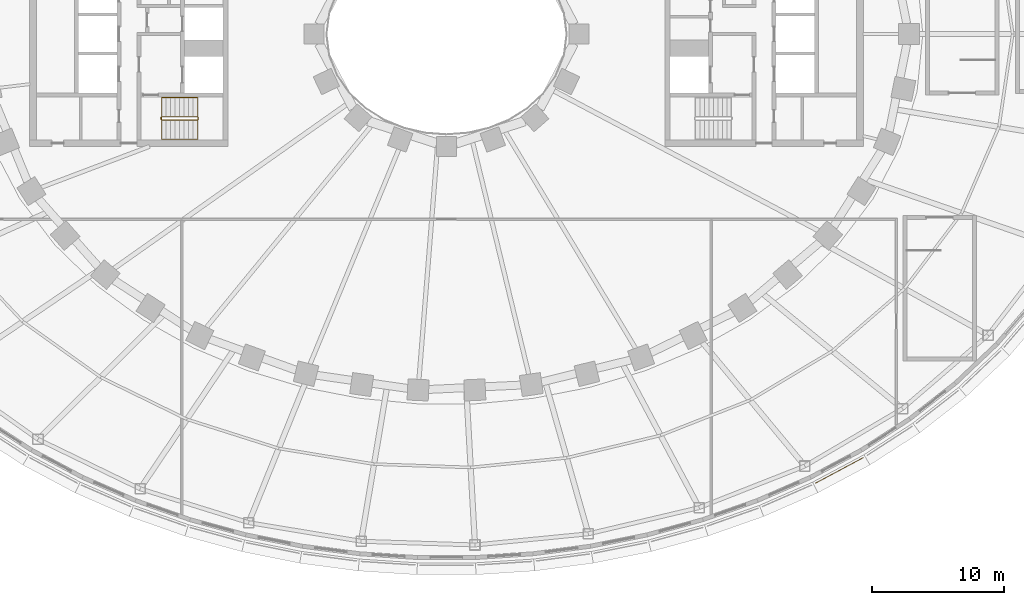
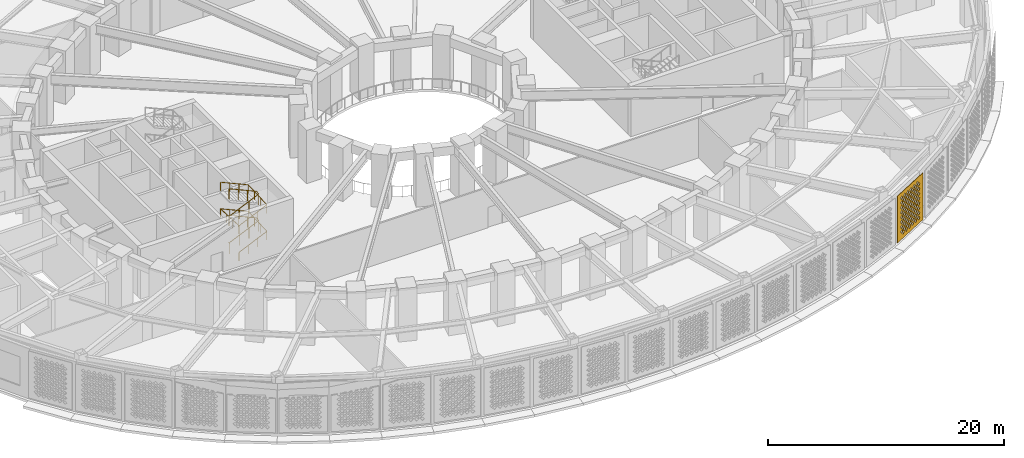
# One storey, part 54 of 63: 2 railings, 1 covering.
"""IFC4 building model written with IfcOpenShell, lengths in metres."""

from ifc_helpers import new_model, si_unit, direction, frame, origin, origin_2d, place, context, subcontext, project, spatial, polyline, rectangle, outline, extrude, material, layer, layer_set, type_object, element, save


model = new_model("IFC4")

# Units and contexts
model_context = context("Model", 3, precision=1e-05, world=origin(), true_north=direction((0.0, 1.0)))
body_context = subcontext(model_context, "Body", "Model", "MODEL_VIEW")
ifc_project = project(units=[si_unit("LENGTHUNIT", "METRE"), si_unit("AREAUNIT", "SQUARE_METRE"), si_unit("VOLUMEUNIT", "CUBIC_METRE"), si_unit("PLANEANGLEUNIT", "RADIAN"), si_unit("MASSUNIT", "GRAM", prefix="KILO")], contexts=[model_context])

# Site, building, storey
site_placement = place(None, origin())
site = spatial("IfcSite", under=ifc_project, at=site_placement, CompositionType="ELEMENT")
building_placement = place(site_placement, origin())
building = spatial("IfcBuilding", under=site, at=building_placement, Name="Noorbagh Ring Tower", CompositionType="ELEMENT")
storey_placement = place(building_placement, frame((0.0, 0.0, 25.0)))
storey = spatial("IfcBuildingStorey", under=building, at=storey_placement, Name="L04", CompositionType="ELEMENT", Elevation=25.0)

# Railings
ifc_material_1 = material(Name="Stainless steel", Category="steel")
railing_type_1 = type_object("IfcRailingType", Name="CORE-STAIR-GUARD", PredefinedType="GUARDRAIL", material=ifc_material_1)
railing_1_placement = place(storey_placement, frame((-21.580078125, -6.449951171875, 0.0)))
element("IfcRailing", 1, at=railing_1_placement, inside=storey, type_object=railing_type_1, Name="L04 ST2 stair guard", PredefinedType="GUARDRAIL", context=body_context, shape_type="SweptSolid", body=[
    extrude(rectangle(XDim=0.048095703125, YDim=0.048095703125, at=origin_2d()), frame((0.0, 0.0, 1.076171875), z_axis=(0.0, 1.0, 0.0), x_axis=(-1.0, 0.0, 0.0)), (0.0, 0.0, 1.0), 0.14990234375),
    extrude(rectangle(XDim=0.048095703125, YDim=0.048095703125, at=origin_2d()), frame((0.0, 0.14990234375, 1.076171875), z_axis=(0.195046945594, -0.779236333862, 0.595606770449), x_axis=(0.970072785993, 0.242814311512, 0.0)), (0.0, 0.0, 1.0), 0.256591796875),
    extrude(rectangle(XDim=0.048095703125, YDim=0.048095703125, at=origin_2d()), frame((0.050048828125, -0.050048828125, 1.22900390625), z_axis=(0.912149621895, 0.0, 0.409857374312), x_axis=(0.0, 1.0, 0.0)), (0.0, 0.0, 1.0), 2.98193359375),
    extrude(rectangle(XDim=0.048095703125, YDim=0.048095703125, at=origin_2d()), frame((2.77001953125, -0.050048828125, 2.451171875), z_axis=(0.707106781187, 0.707106781187, 0.0), x_axis=(-0.707106781187, 0.707106781187, 0.0)), (0.0, 0.0, 1.0), 0.07080078125),
    extrude(rectangle(XDim=0.048095703125, YDim=0.048095703125, at=origin_2d()), frame((2.820068359375, 0.0, 2.451171875), z_axis=(0.0, 1.0, 0.0), x_axis=(-1.0, 0.0, 0.0)), (0.0, 0.0, 1.0), 0.14990234375),
    extrude(rectangle(XDim=0.048095703125, YDim=0.048095703125, at=origin_2d()), frame((2.820068359375, 0.14990234375, 2.451171875), z_axis=(-0.297155754911, 0.297155754911, 0.90741220768), x_axis=(-0.707106781187, -0.707106781187, 0.0)), (0.0, 0.0, 1.0), 0.16845703125),
    extrude(rectangle(XDim=0.048095703125, YDim=0.048095703125, at=origin_2d()), frame((2.77001953125, 0.199951171875, 2.60400390625), z_axis=(-0.912149621895, 0.0, 0.409857374312), x_axis=(0.0, -1.0, 0.0)), (0.0, 0.0, 1.0), 2.98193359375),
    extrude(rectangle(XDim=0.048095703125, YDim=0.048095703125, at=origin_2d()), frame((0.050048828125, 0.199951171875, 3.826171875), z_axis=(-0.242814311512, -0.970072785993, 0.0), x_axis=(0.970072785993, -0.242814311512, 0.0)), (0.0, 0.0, 1.0), 0.2060546875),
    extrude(rectangle(XDim=0.048095703125, YDim=0.048095703125, at=origin_2d()), frame((0.0, 0.0, 3.826171875), z_axis=(0.0, 1.0, 0.0), x_axis=(-1.0, 0.0, 0.0)), (0.0, 0.0, 1.0), 0.14990234375),
    extrude(rectangle(XDim=0.048095703125, YDim=0.048095703125, at=origin_2d()), frame((0.0, 0.14990234375, 3.826171875), z_axis=(0.195046945594, -0.779236333862, 0.595606770449), x_axis=(0.970072785993, 0.242814311512, 0.0)), (0.0, 0.0, 1.0), 0.256591796875),
    extrude(rectangle(XDim=0.048095703125, YDim=0.048095703125, at=origin_2d()), frame((0.050048828125, -0.050048828125, 3.97900390625), z_axis=(0.912149621895, 0.0, 0.409857374312), x_axis=(0.0, 1.0, 0.0)), (0.0, 0.0, 1.0), 2.98193359375),
    extrude(rectangle(XDim=0.048095703125, YDim=0.048095703125, at=origin_2d()), frame((2.77001953125, -0.050048828125, 5.201171875), z_axis=(0.707106781187, 0.707106781187, 0.0), x_axis=(-0.707106781187, 0.707106781187, 0.0)), (0.0, 0.0, 1.0), 0.07080078125),
    extrude(rectangle(XDim=0.048095703125, YDim=0.048095703125, at=origin_2d()), frame((2.820068359375, 0.0, 5.201171875), z_axis=(0.0, 1.0, 0.0), x_axis=(-1.0, 0.0, 0.0)), (0.0, 0.0, 1.0), 0.14990234375),
    extrude(rectangle(XDim=0.048095703125, YDim=0.048095703125, at=origin_2d()), frame((2.820068359375, 0.14990234375, 5.201171875), z_axis=(-0.297155754911, 0.297155754911, 0.90741220768), x_axis=(-0.707106781187, -0.707106781187, 0.0)), (0.0, 0.0, 1.0), 0.16845703125),
    extrude(rectangle(XDim=0.048095703125, YDim=0.048095703125, at=origin_2d()), frame((2.77001953125, 0.199951171875, 5.35400390625), z_axis=(-0.912149621895, 0.0, 0.409857374312), x_axis=(0.0, -1.0, 0.0)), (0.0, 0.0, 1.0), 2.98193359375),
    extrude(rectangle(XDim=0.0419921875, YDim=0.0419921875, at=origin_2d()), origin(), (0.0, 0.0, 1.0), 1.052001953125),
    extrude(rectangle(XDim=0.0419921875, YDim=0.0419921875, at=origin_2d()), frame((0.956787109375, -0.050048828125, 0.560302734375)), (0.0, 0.0, 1.0), 1.052001953125),
    extrude(rectangle(XDim=0.0419921875, YDim=0.0419921875, at=origin_2d()), frame((1.86328125, -0.050048828125, 0.967529296875)), (0.0, 0.0, 1.0), 1.052001953125),
    extrude(rectangle(XDim=0.0419921875, YDim=0.0419921875, at=origin_2d()), frame((2.77001953125, -0.050048828125, 1.375)), (0.0, 0.0, 1.0), 1.052001953125),
    extrude(rectangle(XDim=0.0419921875, YDim=0.0419921875, at=origin_2d()), frame((1.86328125, 0.199951171875, 1.935302734375)), (0.0, 0.0, 1.0), 1.052001953125),
    extrude(rectangle(XDim=0.0419921875, YDim=0.0419921875, at=origin_2d()), frame((0.956787109375, 0.199951171875, 2.342529296875)), (0.0, 0.0, 1.0), 1.052001953125),
    extrude(rectangle(XDim=0.0419921875, YDim=0.0419921875, at=origin_2d()), frame((0.050048828125, 0.199951171875, 2.75)), (0.0, 0.0, 1.0), 1.052001953125),
    extrude(rectangle(XDim=0.0419921875, YDim=0.0419921875, at=origin_2d()), frame((0.956787109375, -0.050048828125, 3.310302734375)), (0.0, 0.0, 1.0), 1.052001953125),
    extrude(rectangle(XDim=0.0419921875, YDim=0.0419921875, at=origin_2d()), frame((1.86328125, -0.050048828125, 3.717529296875)), (0.0, 0.0, 1.0), 1.052001953125),
    extrude(rectangle(XDim=0.0419921875, YDim=0.0419921875, at=origin_2d()), frame((2.77001953125, -0.050048828125, 4.125)), (0.0, 0.0, 1.0), 1.052001953125),
    extrude(rectangle(XDim=0.0419921875, YDim=0.0419921875, at=origin_2d()), frame((1.86328125, 0.199951171875, 4.685302734375)), (0.0, 0.0, 1.0), 1.052001953125),
    extrude(rectangle(XDim=0.0419921875, YDim=0.0419921875, at=origin_2d()), frame((0.956787109375, 0.199951171875, 5.092529296875)), (0.0, 0.0, 1.0), 1.052001953125),
    extrude(rectangle(XDim=0.0419921875, YDim=0.0419921875, at=origin_2d()), frame((0.050048828125, 0.199951171875, 5.5)), (0.0, 0.0, 1.0), 1.052001953125),
])
ifc_material_2 = material(Name="Stainless steel", Category="steel")
railing_type_2 = type_object("IfcRailingType", Name="CORE-STAIR-HANDRAIL", PredefinedType="HANDRAIL", material=ifc_material_2)
railing_2_placement = place(storey_placement, frame((-21.530029296875, -7.949951171875, 0.15283203125)))
element("IfcRailing", 2, at=railing_2_placement, inside=storey, type_object=railing_type_2, Name="L04 ST2 stair handrail", PredefinedType="HANDRAIL", context=body_context, shape_type="SweptSolid", body=[
    extrude(rectangle(XDim=0.048095703125, YDim=0.048095703125, at=origin_2d()), frame((0.0, 0.0, 0.8759765625), z_axis=(0.912149621895, 0.0, 0.409857374312), x_axis=(0.0, 1.0, 0.0)), (0.0, 0.0, 1.0), 2.98193359375),
    extrude(rectangle(XDim=0.048095703125, YDim=0.048095703125, at=origin_2d()), frame((2.719970703125, 0.0, 2.09814453125), z_axis=(0.0, 0.998824997948, 0.048462598722), x_axis=(-1.0, 0.0, 0.0)), (0.0, 0.0, 1.0), 3.153564453125),
    extrude(rectangle(XDim=0.048095703125, YDim=0.048095703125, at=origin_2d()), frame((2.719970703125, 3.14990234375, 2.2509765625), z_axis=(-0.912149621895, 0.0, 0.409857374312), x_axis=(0.0, -1.0, 0.0)), (0.0, 0.0, 1.0), 2.98193359375),
    extrude(rectangle(XDim=0.048095703125, YDim=0.048095703125, at=origin_2d()), frame((0.0, 3.14990234375, 3.47314453125), z_axis=(0.0, -0.998824997948, 0.048462598722), x_axis=(1.0, 0.0, 0.0)), (0.0, 0.0, 1.0), 3.153564453125),
    extrude(rectangle(XDim=0.048095703125, YDim=0.048095703125, at=origin_2d()), frame((0.0, 0.0, 3.6259765625), z_axis=(0.912149621895, 0.0, 0.409857374312), x_axis=(0.0, 1.0, 0.0)), (0.0, 0.0, 1.0), 2.98193359375),
    extrude(rectangle(XDim=0.048095703125, YDim=0.048095703125, at=origin_2d()), frame((2.719970703125, 0.0, 4.84814453125), z_axis=(0.0, 0.998824997948, 0.048462598722), x_axis=(-1.0, 0.0, 0.0)), (0.0, 0.0, 1.0), 3.153564453125),
    extrude(rectangle(XDim=0.048095703125, YDim=0.048095703125, at=origin_2d()), frame((2.719970703125, 3.14990234375, 5.0009765625), z_axis=(-0.912149621895, 0.0, 0.409857374312), x_axis=(0.0, -1.0, 0.0)), (0.0, 0.0, 1.0), 2.98193359375),
    extrude(rectangle(XDim=0.0419921875, YDim=0.0419921875, at=origin_2d()), origin(), (0.0, 0.0, 1.0), 0.851806640625),
    extrude(rectangle(XDim=0.0419921875, YDim=0.0419921875, at=origin_2d()), frame((0.90673828125, 0.0, 0.407470703125)), (0.0, 0.0, 1.0), 0.851806640625),
    extrude(rectangle(XDim=0.0419921875, YDim=0.0419921875, at=origin_2d()), frame((1.813232421875, 0.0, 0.814697265625)), (0.0, 0.0, 1.0), 0.851806640625),
    extrude(rectangle(XDim=0.0419921875, YDim=0.0419921875, at=origin_2d()), frame((2.719970703125, 0.0, 1.22216796875)), (0.0, 0.0, 1.0), 0.851806640625),
    extrude(rectangle(XDim=0.0419921875, YDim=0.0419921875, at=origin_2d()), frame((2.719970703125, 1.050048828125, 1.273193359375)), (0.0, 0.0, 1.0), 0.851806640625),
    extrude(rectangle(XDim=0.0419921875, YDim=0.0419921875, at=origin_2d()), frame((2.719970703125, 2.099853515625, 1.323974609375)), (0.0, 0.0, 1.0), 0.851806640625),
    extrude(rectangle(XDim=0.0419921875, YDim=0.0419921875, at=origin_2d()), frame((2.719970703125, 3.14990234375, 1.375)), (0.0, 0.0, 1.0), 0.851806640625),
    extrude(rectangle(XDim=0.0419921875, YDim=0.0419921875, at=origin_2d()), frame((1.813232421875, 3.14990234375, 1.782470703125)), (0.0, 0.0, 1.0), 0.851806640625),
    extrude(rectangle(XDim=0.0419921875, YDim=0.0419921875, at=origin_2d()), frame((0.90673828125, 3.14990234375, 2.189697265625)), (0.0, 0.0, 1.0), 0.851806640625),
    extrude(rectangle(XDim=0.0419921875, YDim=0.0419921875, at=origin_2d()), frame((0.0, 3.14990234375, 2.59716796875)), (0.0, 0.0, 1.0), 0.851806640625),
    extrude(rectangle(XDim=0.0419921875, YDim=0.0419921875, at=origin_2d()), frame((0.0, 2.099853515625, 2.648193359375)), (0.0, 0.0, 1.0), 0.851806640625),
    extrude(rectangle(XDim=0.0419921875, YDim=0.0419921875, at=origin_2d()), frame((0.0, 1.050048828125, 2.698974609375)), (0.0, 0.0, 1.0), 0.851806640625),
    extrude(rectangle(XDim=0.0419921875, YDim=0.0419921875, at=origin_2d()), frame((0.0, 0.0, 2.75)), (0.0, 0.0, 1.0), 0.851806640625),
    extrude(rectangle(XDim=0.0419921875, YDim=0.0419921875, at=origin_2d()), frame((0.90673828125, 0.0, 3.157470703125)), (0.0, 0.0, 1.0), 0.851806640625),
    extrude(rectangle(XDim=0.0419921875, YDim=0.0419921875, at=origin_2d()), frame((1.813232421875, 0.0, 3.564697265625)), (0.0, 0.0, 1.0), 0.851806640625),
    extrude(rectangle(XDim=0.0419921875, YDim=0.0419921875, at=origin_2d()), frame((2.719970703125, 0.0, 3.97216796875)), (0.0, 0.0, 1.0), 0.851806640625),
    extrude(rectangle(XDim=0.0419921875, YDim=0.0419921875, at=origin_2d()), frame((2.719970703125, 1.050048828125, 4.023193359375)), (0.0, 0.0, 1.0), 0.851806640625),
    extrude(rectangle(XDim=0.0419921875, YDim=0.0419921875, at=origin_2d()), frame((2.719970703125, 2.099853515625, 4.073974609375)), (0.0, 0.0, 1.0), 0.851806640625),
    extrude(rectangle(XDim=0.0419921875, YDim=0.0419921875, at=origin_2d()), frame((2.719970703125, 3.14990234375, 4.125)), (0.0, 0.0, 1.0), 0.851806640625),
    extrude(rectangle(XDim=0.0419921875, YDim=0.0419921875, at=origin_2d()), frame((1.813232421875, 3.14990234375, 4.532470703125)), (0.0, 0.0, 1.0), 0.851806640625),
    extrude(rectangle(XDim=0.0419921875, YDim=0.0419921875, at=origin_2d()), frame((0.90673828125, 3.14990234375, 4.939697265625)), (0.0, 0.0, 1.0), 0.851806640625),
    extrude(rectangle(XDim=0.0419921875, YDim=0.0419921875, at=origin_2d()), frame((0.0, 3.14990234375, 5.34716796875)), (0.0, 0.0, 1.0), 0.851806640625),
])

# Covering
ifc_material_3 = material(Name="Red sandstone jali", Category="masonry")
ifc_layer = layer(ifc_material_3, 0.0400390625)
ifc_layer_set = layer_set([ifc_layer], Name="Red sandstone jali")
covering_type = type_object("IfcCoveringType", Name="STY-JALI", PredefinedType="USERDEFINED", material=ifc_layer_set)
covering_placement = place(storey_placement, frame((27.897705078125, -33.9609375, 0.449951171875), z_axis=(0.470869695201, -0.882202771556, 0.0), x_axis=(0.882202771556, 0.470869695201, 0.0)))
element("IfcCovering", 3, at=covering_placement, inside=storey, type_object=covering_type, Name="Jali screen", ObjectType="SCREEN", PredefinedType="USERDEFINED", context=body_context, shape_type="SweptSolid", body=[
    extrude(outline(polyline([(0.0, 0.0), (4.0966796875, 0.0), (4.0966796875, 4.85009765625), (0.0, 4.85009765625), (0.0, 0.0)]), holes=[polyline([(0.743408203125, 0.550048828125), (0.92333984375, 0.3701171875), (1.103271484375, 0.550048828125), (0.92333984375, 0.72998046875), (0.743408203125, 0.550048828125)]), polyline([(1.243408203125, 0.550048828125), (1.42333984375, 0.3701171875), (1.603271484375, 0.550048828125), (1.42333984375, 0.72998046875), (1.243408203125, 0.550048828125)]), polyline([(1.743408203125, 0.550048828125), (1.92333984375, 0.3701171875), (2.103271484375, 0.550048828125), (1.92333984375, 0.72998046875), (1.743408203125, 0.550048828125)]), polyline([(2.243408203125, 0.550048828125), (2.42333984375, 0.3701171875), (2.603271484375, 0.550048828125), (2.42333984375, 0.72998046875), (2.243408203125, 0.550048828125)]), polyline([(2.743408203125, 0.550048828125), (2.92333984375, 0.3701171875), (3.103271484375, 0.550048828125), (2.92333984375, 0.72998046875), (2.743408203125, 0.550048828125)]), polyline([(3.243408203125, 0.550048828125), (3.42333984375, 0.3701171875), (3.603271484375, 0.550048828125), (3.42333984375, 0.72998046875), (3.243408203125, 0.550048828125)]), polyline([(0.493408203125, 0.800048828125), (0.67333984375, 0.6201171875), (0.853271484375, 0.800048828125), (0.67333984375, 0.97998046875), (0.493408203125, 0.800048828125)]), polyline([(0.993408203125, 0.800048828125), (1.17333984375, 0.6201171875), (1.353271484375, 0.800048828125), (1.17333984375, 0.97998046875), (0.993408203125, 0.800048828125)]), polyline([(1.493408203125, 0.800048828125), (1.67333984375, 0.6201171875), (1.853271484375, 0.800048828125), (1.67333984375, 0.97998046875), (1.493408203125, 0.800048828125)]), polyline([(1.993408203125, 0.800048828125), (2.17333984375, 0.6201171875), (2.353271484375, 0.800048828125), (2.17333984375, 0.97998046875), (1.993408203125, 0.800048828125)]), polyline([(2.493408203125, 0.800048828125), (2.67333984375, 0.6201171875), (2.853271484375, 0.800048828125), (2.67333984375, 0.97998046875), (2.493408203125, 0.800048828125)]), polyline([(2.993408203125, 0.800048828125), (3.17333984375, 0.6201171875), (3.353271484375, 0.800048828125), (3.17333984375, 0.97998046875), (2.993408203125, 0.800048828125)]), polyline([(0.743408203125, 1.050048828125), (0.92333984375, 0.8701171875), (1.103271484375, 1.050048828125), (0.92333984375, 1.22998046875), (0.743408203125, 1.050048828125)]), polyline([(1.243408203125, 1.050048828125), (1.42333984375, 0.8701171875), (1.603271484375, 1.050048828125), (1.42333984375, 1.22998046875), (1.243408203125, 1.050048828125)]), polyline([(1.743408203125, 1.050048828125), (1.92333984375, 0.8701171875), (2.103271484375, 1.050048828125), (1.92333984375, 1.22998046875), (1.743408203125, 1.050048828125)]), polyline([(2.243408203125, 1.050048828125), (2.42333984375, 0.8701171875), (2.603271484375, 1.050048828125), (2.42333984375, 1.22998046875), (2.243408203125, 1.050048828125)]), polyline([(2.743408203125, 1.050048828125), (2.92333984375, 0.8701171875), (3.103271484375, 1.050048828125), (2.92333984375, 1.22998046875), (2.743408203125, 1.050048828125)]), polyline([(3.243408203125, 1.050048828125), (3.42333984375, 0.8701171875), (3.603271484375, 1.050048828125), (3.42333984375, 1.22998046875), (3.243408203125, 1.050048828125)]), polyline([(0.493408203125, 1.300048828125), (0.67333984375, 1.1201171875), (0.853271484375, 1.300048828125), (0.67333984375, 1.47998046875), (0.493408203125, 1.300048828125)]), polyline([(0.993408203125, 1.300048828125), (1.17333984375, 1.1201171875), (1.353271484375, 1.300048828125), (1.17333984375, 1.47998046875), (0.993408203125, 1.300048828125)]), polyline([(1.493408203125, 1.300048828125), (1.67333984375, 1.1201171875), (1.853271484375, 1.300048828125), (1.67333984375, 1.47998046875), (1.493408203125, 1.300048828125)]), polyline([(1.993408203125, 1.300048828125), (2.17333984375, 1.1201171875), (2.353271484375, 1.300048828125), (2.17333984375, 1.47998046875), (1.993408203125, 1.300048828125)]), polyline([(2.493408203125, 1.300048828125), (2.67333984375, 1.1201171875), (2.853271484375, 1.300048828125), (2.67333984375, 1.47998046875), (2.493408203125, 1.300048828125)]), polyline([(2.993408203125, 1.300048828125), (3.17333984375, 1.1201171875), (3.353271484375, 1.300048828125), (3.17333984375, 1.47998046875), (2.993408203125, 1.300048828125)]), polyline([(0.743408203125, 1.550048828125), (0.92333984375, 1.3701171875), (1.103271484375, 1.550048828125), (0.92333984375, 1.72998046875), (0.743408203125, 1.550048828125)]), polyline([(1.243408203125, 1.550048828125), (1.42333984375, 1.3701171875), (1.603271484375, 1.550048828125), (1.42333984375, 1.72998046875), (1.243408203125, 1.550048828125)]), polyline([(1.743408203125, 1.550048828125), (1.92333984375, 1.3701171875), (2.103271484375, 1.550048828125), (1.92333984375, 1.72998046875), (1.743408203125, 1.550048828125)]), polyline([(2.243408203125, 1.550048828125), (2.42333984375, 1.3701171875), (2.603271484375, 1.550048828125), (2.42333984375, 1.72998046875), (2.243408203125, 1.550048828125)]), polyline([(2.743408203125, 1.550048828125), (2.92333984375, 1.3701171875), (3.103271484375, 1.550048828125), (2.92333984375, 1.72998046875), (2.743408203125, 1.550048828125)]), polyline([(3.243408203125, 1.550048828125), (3.42333984375, 1.3701171875), (3.603271484375, 1.550048828125), (3.42333984375, 1.72998046875), (3.243408203125, 1.550048828125)]), polyline([(0.493408203125, 1.800048828125), (0.67333984375, 1.6201171875), (0.853271484375, 1.800048828125), (0.67333984375, 1.97998046875), (0.493408203125, 1.800048828125)]), polyline([(0.993408203125, 1.800048828125), (1.17333984375, 1.6201171875), (1.353271484375, 1.800048828125), (1.17333984375, 1.97998046875), (0.993408203125, 1.800048828125)]), polyline([(1.493408203125, 1.800048828125), (1.67333984375, 1.6201171875), (1.853271484375, 1.800048828125), (1.67333984375, 1.97998046875), (1.493408203125, 1.800048828125)]), polyline([(1.993408203125, 1.800048828125), (2.17333984375, 1.6201171875), (2.353271484375, 1.800048828125), (2.17333984375, 1.97998046875), (1.993408203125, 1.800048828125)]), polyline([(2.493408203125, 1.800048828125), (2.67333984375, 1.6201171875), (2.853271484375, 1.800048828125), (2.67333984375, 1.97998046875), (2.493408203125, 1.800048828125)]), polyline([(2.993408203125, 1.800048828125), (3.17333984375, 1.6201171875), (3.353271484375, 1.800048828125), (3.17333984375, 1.97998046875), (2.993408203125, 1.800048828125)]), polyline([(0.743408203125, 2.050048828125), (0.92333984375, 1.8701171875), (1.103271484375, 2.050048828125), (0.92333984375, 2.22998046875), (0.743408203125, 2.050048828125)]), polyline([(1.243408203125, 2.050048828125), (1.42333984375, 1.8701171875), (1.603271484375, 2.050048828125), (1.42333984375, 2.22998046875), (1.243408203125, 2.050048828125)]), polyline([(1.743408203125, 2.050048828125), (1.92333984375, 1.8701171875), (2.103271484375, 2.050048828125), (1.92333984375, 2.22998046875), (1.743408203125, 2.050048828125)]), polyline([(2.243408203125, 2.050048828125), (2.42333984375, 1.8701171875), (2.603271484375, 2.050048828125), (2.42333984375, 2.22998046875), (2.243408203125, 2.050048828125)]), polyline([(2.743408203125, 2.050048828125), (2.92333984375, 1.8701171875), (3.103271484375, 2.050048828125), (2.92333984375, 2.22998046875), (2.743408203125, 2.050048828125)]), polyline([(3.243408203125, 2.050048828125), (3.42333984375, 1.8701171875), (3.603271484375, 2.050048828125), (3.42333984375, 2.22998046875), (3.243408203125, 2.050048828125)]), polyline([(0.493408203125, 2.300048828125), (0.67333984375, 2.1201171875), (0.853271484375, 2.300048828125), (0.67333984375, 2.47998046875), (0.493408203125, 2.300048828125)]), polyline([(0.993408203125, 2.300048828125), (1.17333984375, 2.1201171875), (1.353271484375, 2.300048828125), (1.17333984375, 2.47998046875), (0.993408203125, 2.300048828125)]), polyline([(1.493408203125, 2.300048828125), (1.67333984375, 2.1201171875), (1.853271484375, 2.300048828125), (1.67333984375, 2.47998046875), (1.493408203125, 2.300048828125)]), polyline([(1.993408203125, 2.300048828125), (2.17333984375, 2.1201171875), (2.353271484375, 2.300048828125), (2.17333984375, 2.47998046875), (1.993408203125, 2.300048828125)]), polyline([(2.493408203125, 2.300048828125), (2.67333984375, 2.1201171875), (2.853271484375, 2.300048828125), (2.67333984375, 2.47998046875), (2.493408203125, 2.300048828125)]), polyline([(2.993408203125, 2.300048828125), (3.17333984375, 2.1201171875), (3.353271484375, 2.300048828125), (3.17333984375, 2.47998046875), (2.993408203125, 2.300048828125)]), polyline([(0.743408203125, 2.550048828125), (0.92333984375, 2.3701171875), (1.103271484375, 2.550048828125), (0.92333984375, 2.72998046875), (0.743408203125, 2.550048828125)]), polyline([(1.243408203125, 2.550048828125), (1.42333984375, 2.3701171875), (1.603271484375, 2.550048828125), (1.42333984375, 2.72998046875), (1.243408203125, 2.550048828125)]), polyline([(1.743408203125, 2.550048828125), (1.92333984375, 2.3701171875), (2.103271484375, 2.550048828125), (1.92333984375, 2.72998046875), (1.743408203125, 2.550048828125)]), polyline([(2.243408203125, 2.550048828125), (2.42333984375, 2.3701171875), (2.603271484375, 2.550048828125), (2.42333984375, 2.72998046875), (2.243408203125, 2.550048828125)]), polyline([(2.743408203125, 2.550048828125), (2.92333984375, 2.3701171875), (3.103271484375, 2.550048828125), (2.92333984375, 2.72998046875), (2.743408203125, 2.550048828125)]), polyline([(3.243408203125, 2.550048828125), (3.42333984375, 2.3701171875), (3.603271484375, 2.550048828125), (3.42333984375, 2.72998046875), (3.243408203125, 2.550048828125)]), polyline([(0.493408203125, 2.800048828125), (0.67333984375, 2.6201171875), (0.853271484375, 2.800048828125), (0.67333984375, 2.97998046875), (0.493408203125, 2.800048828125)]), polyline([(0.993408203125, 2.800048828125), (1.17333984375, 2.6201171875), (1.353271484375, 2.800048828125), (1.17333984375, 2.97998046875), (0.993408203125, 2.800048828125)]), polyline([(1.493408203125, 2.800048828125), (1.67333984375, 2.6201171875), (1.853271484375, 2.800048828125), (1.67333984375, 2.97998046875), (1.493408203125, 2.800048828125)]), polyline([(1.993408203125, 2.800048828125), (2.17333984375, 2.6201171875), (2.353271484375, 2.800048828125), (2.17333984375, 2.97998046875), (1.993408203125, 2.800048828125)]), polyline([(2.493408203125, 2.800048828125), (2.67333984375, 2.6201171875), (2.853271484375, 2.800048828125), (2.67333984375, 2.97998046875), (2.493408203125, 2.800048828125)]), polyline([(2.993408203125, 2.800048828125), (3.17333984375, 2.6201171875), (3.353271484375, 2.800048828125), (3.17333984375, 2.97998046875), (2.993408203125, 2.800048828125)]), polyline([(0.743408203125, 3.050048828125), (0.92333984375, 2.8701171875), (1.103271484375, 3.050048828125), (0.92333984375, 3.22998046875), (0.743408203125, 3.050048828125)]), polyline([(1.243408203125, 3.050048828125), (1.42333984375, 2.8701171875), (1.603271484375, 3.050048828125), (1.42333984375, 3.22998046875), (1.243408203125, 3.050048828125)]), polyline([(1.743408203125, 3.050048828125), (1.92333984375, 2.8701171875), (2.103271484375, 3.050048828125), (1.92333984375, 3.22998046875), (1.743408203125, 3.050048828125)]), polyline([(2.243408203125, 3.050048828125), (2.42333984375, 2.8701171875), (2.603271484375, 3.050048828125), (2.42333984375, 3.22998046875), (2.243408203125, 3.050048828125)]), polyline([(2.743408203125, 3.050048828125), (2.92333984375, 2.8701171875), (3.103271484375, 3.050048828125), (2.92333984375, 3.22998046875), (2.743408203125, 3.050048828125)]), polyline([(3.243408203125, 3.050048828125), (3.42333984375, 2.8701171875), (3.603271484375, 3.050048828125), (3.42333984375, 3.22998046875), (3.243408203125, 3.050048828125)]), polyline([(0.493408203125, 3.300048828125), (0.67333984375, 3.1201171875), (0.853271484375, 3.300048828125), (0.67333984375, 3.47998046875), (0.493408203125, 3.300048828125)]), polyline([(0.993408203125, 3.300048828125), (1.17333984375, 3.1201171875), (1.353271484375, 3.300048828125), (1.17333984375, 3.47998046875), (0.993408203125, 3.300048828125)]), polyline([(1.493408203125, 3.300048828125), (1.67333984375, 3.1201171875), (1.853271484375, 3.300048828125), (1.67333984375, 3.47998046875), (1.493408203125, 3.300048828125)]), polyline([(1.993408203125, 3.300048828125), (2.17333984375, 3.1201171875), (2.353271484375, 3.300048828125), (2.17333984375, 3.47998046875), (1.993408203125, 3.300048828125)]), polyline([(2.493408203125, 3.300048828125), (2.67333984375, 3.1201171875), (2.853271484375, 3.300048828125), (2.67333984375, 3.47998046875), (2.493408203125, 3.300048828125)]), polyline([(2.993408203125, 3.300048828125), (3.17333984375, 3.1201171875), (3.353271484375, 3.300048828125), (3.17333984375, 3.47998046875), (2.993408203125, 3.300048828125)]), polyline([(0.743408203125, 3.550048828125), (0.92333984375, 3.3701171875), (1.103271484375, 3.550048828125), (0.92333984375, 3.72998046875), (0.743408203125, 3.550048828125)]), polyline([(1.243408203125, 3.550048828125), (1.42333984375, 3.3701171875), (1.603271484375, 3.550048828125), (1.42333984375, 3.72998046875), (1.243408203125, 3.550048828125)]), polyline([(1.743408203125, 3.550048828125), (1.92333984375, 3.3701171875), (2.103271484375, 3.550048828125), (1.92333984375, 3.72998046875), (1.743408203125, 3.550048828125)]), polyline([(2.243408203125, 3.550048828125), (2.42333984375, 3.3701171875), (2.603271484375, 3.550048828125), (2.42333984375, 3.72998046875), (2.243408203125, 3.550048828125)]), polyline([(2.743408203125, 3.550048828125), (2.92333984375, 3.3701171875), (3.103271484375, 3.550048828125), (2.92333984375, 3.72998046875), (2.743408203125, 3.550048828125)]), polyline([(3.243408203125, 3.550048828125), (3.42333984375, 3.3701171875), (3.603271484375, 3.550048828125), (3.42333984375, 3.72998046875), (3.243408203125, 3.550048828125)]), polyline([(0.493408203125, 3.800048828125), (0.67333984375, 3.6201171875), (0.853271484375, 3.800048828125), (0.67333984375, 3.97998046875), (0.493408203125, 3.800048828125)]), polyline([(0.993408203125, 3.800048828125), (1.17333984375, 3.6201171875), (1.353271484375, 3.800048828125), (1.17333984375, 3.97998046875), (0.993408203125, 3.800048828125)]), polyline([(1.493408203125, 3.800048828125), (1.67333984375, 3.6201171875), (1.853271484375, 3.800048828125), (1.67333984375, 3.97998046875), (1.493408203125, 3.800048828125)]), polyline([(1.993408203125, 3.800048828125), (2.17333984375, 3.6201171875), (2.353271484375, 3.800048828125), (2.17333984375, 3.97998046875), (1.993408203125, 3.800048828125)]), polyline([(2.493408203125, 3.800048828125), (2.67333984375, 3.6201171875), (2.853271484375, 3.800048828125), (2.67333984375, 3.97998046875), (2.493408203125, 3.800048828125)]), polyline([(2.993408203125, 3.800048828125), (3.17333984375, 3.6201171875), (3.353271484375, 3.800048828125), (3.17333984375, 3.97998046875), (2.993408203125, 3.800048828125)]), polyline([(0.743408203125, 4.050048828125), (0.92333984375, 3.8701171875), (1.103271484375, 4.050048828125), (0.92333984375, 4.22998046875), (0.743408203125, 4.050048828125)]), polyline([(1.243408203125, 4.050048828125), (1.42333984375, 3.8701171875), (1.603271484375, 4.050048828125), (1.42333984375, 4.22998046875), (1.243408203125, 4.050048828125)]), polyline([(1.743408203125, 4.050048828125), (1.92333984375, 3.8701171875), (2.103271484375, 4.050048828125), (1.92333984375, 4.22998046875), (1.743408203125, 4.050048828125)]), polyline([(2.243408203125, 4.050048828125), (2.42333984375, 3.8701171875), (2.603271484375, 4.050048828125), (2.42333984375, 4.22998046875), (2.243408203125, 4.050048828125)]), polyline([(2.743408203125, 4.050048828125), (2.92333984375, 3.8701171875), (3.103271484375, 4.050048828125), (2.92333984375, 4.22998046875), (2.743408203125, 4.050048828125)]), polyline([(3.243408203125, 4.050048828125), (3.42333984375, 3.8701171875), (3.603271484375, 4.050048828125), (3.42333984375, 4.22998046875), (3.243408203125, 4.050048828125)]), polyline([(0.493408203125, 4.300048828125), (0.67333984375, 4.1201171875), (0.853271484375, 4.300048828125), (0.67333984375, 4.47998046875), (0.493408203125, 4.300048828125)]), polyline([(0.993408203125, 4.300048828125), (1.17333984375, 4.1201171875), (1.353271484375, 4.300048828125), (1.17333984375, 4.47998046875), (0.993408203125, 4.300048828125)]), polyline([(1.493408203125, 4.300048828125), (1.67333984375, 4.1201171875), (1.853271484375, 4.300048828125), (1.67333984375, 4.47998046875), (1.493408203125, 4.300048828125)]), polyline([(1.993408203125, 4.300048828125), (2.17333984375, 4.1201171875), (2.353271484375, 4.300048828125), (2.17333984375, 4.47998046875), (1.993408203125, 4.300048828125)]), polyline([(2.493408203125, 4.300048828125), (2.67333984375, 4.1201171875), (2.853271484375, 4.300048828125), (2.67333984375, 4.47998046875), (2.493408203125, 4.300048828125)]), polyline([(2.993408203125, 4.300048828125), (3.17333984375, 4.1201171875), (3.353271484375, 4.300048828125), (3.17333984375, 4.47998046875), (2.993408203125, 4.300048828125)])]), origin(), (0.0, 0.0, -1.0), 0.0400390625),
])

save(model, "model.ifc")
